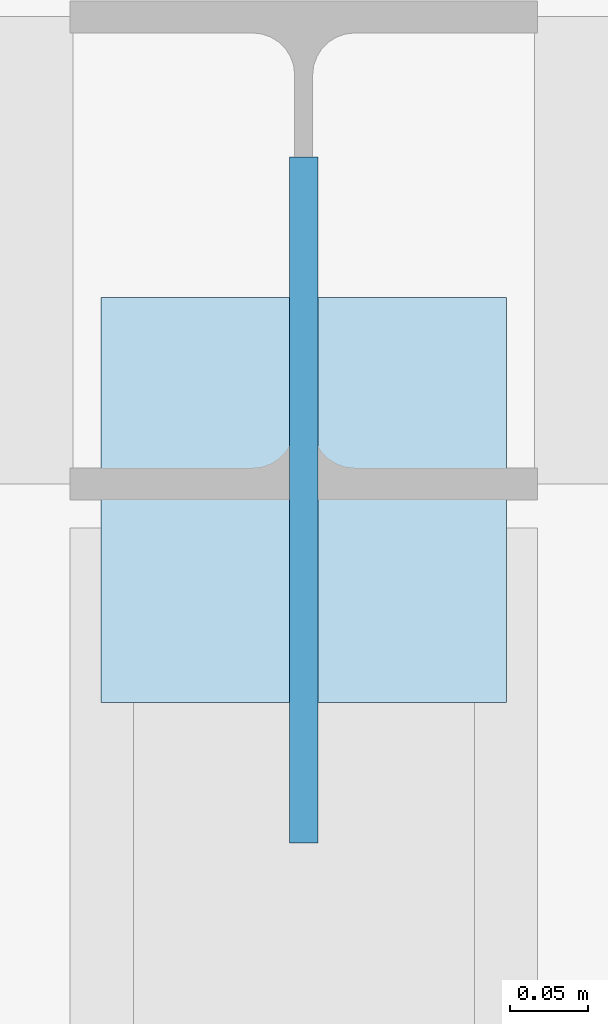
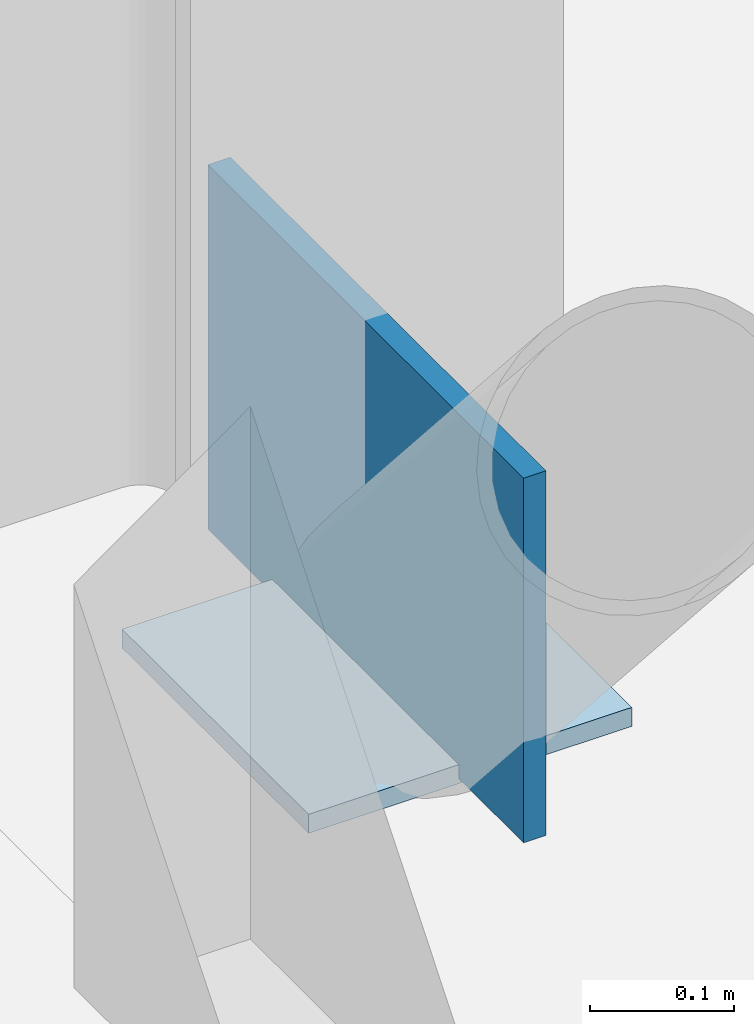
# One storey, part 48 of 72: 2 plates.
"""IFC4 building model written with IfcOpenShell, lengths in metres."""

from ifc_helpers import new_model, si_unit, direction, frame, origin, origin_2d, place, context, subcontext, project, spatial, rectangle, extrude, material, layer, layer_set, type_object, element, save


model = new_model("IFC4")

# Units and contexts
model_context = context("Model", 3, precision=1e-05, world=origin(), true_north=direction((0.0, 1.0)))
body_context = subcontext(model_context, "Body", "Model", "MODEL_VIEW")
ifc_project = project(units=[si_unit("LENGTHUNIT", "METRE"), si_unit("AREAUNIT", "SQUARE_METRE"), si_unit("VOLUMEUNIT", "CUBIC_METRE"), si_unit("PLANEANGLEUNIT", "RADIAN"), si_unit("MASSUNIT", "GRAM", prefix="KILO")], contexts=[model_context])

# Site, building, storey
site_placement = place(None, origin())
site = spatial("IfcSite", under=ifc_project, at=site_placement, CompositionType="ELEMENT")
building_placement = place(site_placement, origin())
building = spatial("IfcBuilding", under=site, at=building_placement, Name="Zarrinpeak Specialist Clinic", CompositionType="ELEMENT")
storey_placement = place(building_placement, frame((0.0, 0.0, 9.60009765625)))
storey = spatial("IfcBuildingStorey", under=building, at=storey_placement, Name="L02", CompositionType="ELEMENT", Elevation=9.60009765625)

# Plates
ifc_material = material(Name="Steel S355", Category="steel")
ifc_layer_1 = layer(ifc_material, 0.01611328125)
ifc_layer_set_1 = layer_set([ifc_layer_1], Name="Steel S355")
plate_type_1 = type_object("IfcPlateType", Name="PL-CAP219", PredefinedType="SHEET", material=ifc_layer_set_1)
plate_1_placement = place(storey_placement, frame((14.39990234375, 64.639892578125, 0.000732421875), z_axis=(0.0, 0.0, 1.0), x_axis=(1.0, 0.0, 0.0)))
element("IfcPlate", 1, at=plate_1_placement, inside=storey, type_object=plate_type_1, Name="V5 L02 Hollow Brace Foot Cap Plate B", PredefinedType="SHEET", context=body_context, shape_type="SweptSolid", body=[
    extrude(rectangle(XDim=0.260009765625, YDim=0.260009765625, at=origin_2d()), origin(), (0.0, 0.0, 1.0), 0.01611328125),
])
ifc_layer_2 = layer(ifc_material, 0.01806640625)
ifc_layer_set_2 = layer_set([ifc_layer_2], Name="Steel S355")
plate_type_2 = type_object("IfcPlateType", Name="PL-GN03", PredefinedType="SHEET", material=ifc_layer_set_2)
plate_2_placement = place(storey_placement, frame((14.39990234375, 64.639892578125, 0.0048828125), z_axis=(0.0, 0.0, 1.0), x_axis=(1.0, 0.0, 0.0)))
element("IfcPlate", 2, at=plate_2_placement, inside=storey, type_object=plate_type_2, Name="V5 L02 Brace Foot Gusset Plate GNF-V5-L02-B", PredefinedType="SHEET", context=body_context, shape_type="SweptSolid", body=[
    extrude(rectangle(XDim=0.01806640625, YDim=0.43994140625, at=origin_2d()), origin(), (0.0, 0.0, 1.0), 0.31005859375),
])

save(model, "model.ifc")
